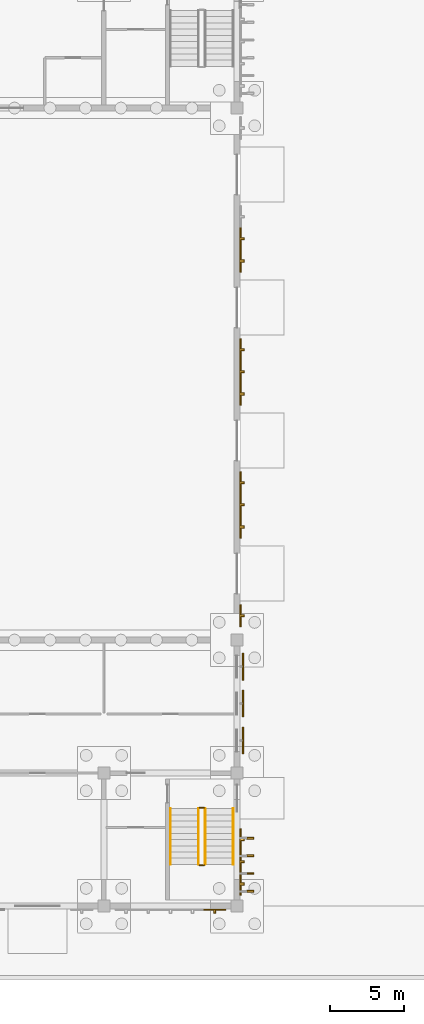
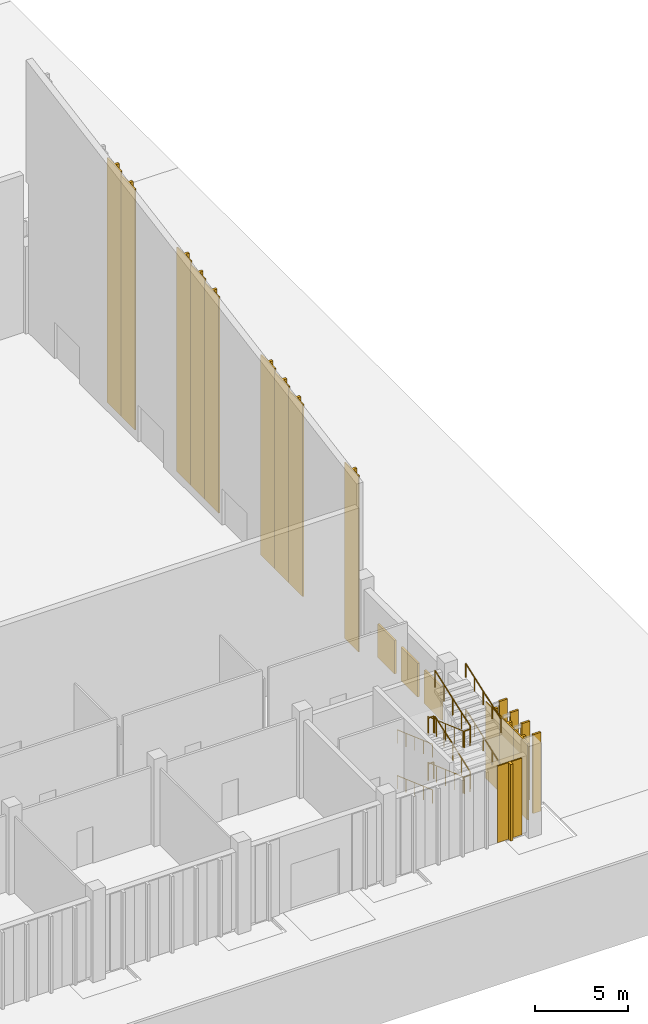
# One storey, part 180 of 198: 17 coverings, 12 railings, 3 shading devices.
"""IFC4 building model written with IfcOpenShell, lengths in metres."""

import ifcopenshell
import ifcopenshell.guid

model = None  # the IFC model being written
_history = None  # IfcOwnerHistory: only IFC2X3 demands one
_inside = {}  # id of a spatial element -> (the spatial element, [elements in it])
_under = {}  # id of a project, library or spatial element -> (it, [spatial elements below it])
_declared = {}  # id of a project -> (the project, [libraries it declares])
_typed = {}  # id of a type object -> (the type object, [elements of that type])
_made_of = {}  # id of a material, layer set ... -> (it, [elements and type objects made of it])


def new_model(schema):
    """Start an empty IFC model of exactly this schema.

    Asked for "IFC4X3", IfcOpenShell would pick the latest addendum, in which some entities
    have other attributes; the version numbers below select the first issue.
    IFC2X3 requires an IfcOwnerHistory on every rooted entity: one is made here for all.
    """
    global model, _history
    if schema == "IFC4X3":
        model = ifcopenshell.file(schema_version=(4, 3, 0, 0))
    else:
        model = ifcopenshell.file(schema=schema)
    _inside.clear()
    _under.clear()
    _declared.clear()
    _typed.clear()
    _made_of.clear()
    _history = None
    if model.schema == "IFC2X3":
        org = make("IfcOrganization", Name="unknown")
        user = make(
            "IfcPersonAndOrganization",
            ThePerson=make("IfcPerson", FamilyName="unknown"),
            TheOrganization=org,
        )
        app = make(
            "IfcApplication",
            ApplicationDeveloper=org,
            Version="unknown",
            ApplicationFullName="unknown",
            ApplicationIdentifier="unknown",
        )
        _history = make(
            "IfcOwnerHistory",
            OwningUser=user,
            OwningApplication=app,
            ChangeAction="ADDED",
            CreationDate=0,
        )
    return model


def make(cls, **values):
    """One entity of the class cls with the attributes given. An attribute that is None is left unset."""
    return model.create_entity(
        cls, **{name: value for name, value in values.items() if value is not None}
    )


def rooted(cls, **values):
    """An entity with a GlobalId (a new one), such as an element, a storey or a relation."""
    return make(cls, GlobalId=ifcopenshell.guid.new(), OwnerHistory=_history, **values)


def si_unit(unit_type, name, prefix=None):
    """IfcSIUnit, for example si_unit("LENGTHUNIT", "METRE", prefix="MILLI")."""
    return make("IfcSIUnit", UnitType=unit_type, Prefix=prefix, Name=name)


def assignment(units):
    """IfcUnitAssignment: the units of a project."""
    return None if units is None else make("IfcUnitAssignment", Units=units)


def point(xyz):
    """IfcCartesianPoint."""
    return None if xyz is None else make("IfcCartesianPoint", Coordinates=xyz)


def direction(xyz):
    """IfcDirection."""
    return None if xyz is None else make("IfcDirection", DirectionRatios=xyz)


def frame(location, z_axis=None, x_axis=None):
    """IfcAxis2Placement3D, a coordinate frame: its origin and axes. An axis left out is left unset."""
    return make(
        "IfcAxis2Placement3D",
        Location=point(location),
        Axis=direction(z_axis),
        RefDirection=direction(x_axis),
    )


def frame_2d(location, x_axis=None):
    """IfcAxis2Placement2D, a coordinate frame in the plane: its origin and x axis."""
    return make(
        "IfcAxis2Placement2D", Location=point(location), RefDirection=direction(x_axis)
    )


def origin():
    """The frame at (0, 0, 0) with its axes left unset."""
    return frame((0.0, 0.0, 0.0))


def origin_2d():
    """The frame at (0, 0) in the plane with its x axis left unset."""
    return frame_2d((0.0, 0.0))


def place(relative_to, where):
    """IfcLocalPlacement: puts the frame where relative to a parent placement (None: the world)."""
    return make(
        "IfcLocalPlacement", PlacementRelTo=relative_to, RelativePlacement=where
    )


def context(
    kind, dimensions, precision=None, world=None, true_north=None, identifier=None
):
    """IfcGeometricRepresentationContext, for example the 3D "Model" context."""
    return make(
        "IfcGeometricRepresentationContext",
        ContextIdentifier=identifier,
        ContextType=kind,
        CoordinateSpaceDimension=dimensions,
        Precision=precision,
        WorldCoordinateSystem=world,
        TrueNorth=true_north,
    )


def subcontext(parent, identifier, kind, view, scale=None):
    """IfcGeometricRepresentationSubContext, for example "Body" below "Model"."""
    return make(
        "IfcGeometricRepresentationSubContext",
        ContextIdentifier=identifier,
        ContextType=kind,
        ParentContext=parent,
        TargetScale=scale,
        TargetView=view,
    )


def project(units=None, contexts=None):
    """IfcProject with its units and contexts."""
    return rooted(
        "IfcProject",
        Name="project",
        RepresentationContexts=contexts,
        UnitsInContext=assignment(units),
    )


def spatial(cls, under=None, at=None, **own):
    """A site, building, storey or space (cls), placed at a placement, below another one or the project."""
    s = rooted(cls, ObjectPlacement=at, **own)
    if under is not None:
        _under.setdefault(under.id(), (under, []))[1].append(s)
    return s


def polyline(points):
    """IfcPolyline through the points."""
    return make("IfcPolyline", Points=[point(p) for p in points])


def profile(cls, at=None, kind="AREA", **sizes):
    """A parametric profile (cls). Its sizes go by their IFC names, for example OverallWidth=200.0."""
    return make(cls, ProfileType=kind, Position=at, **sizes)


def rectangle(**sizes):
    """IfcRectangleProfileDef."""
    return profile("IfcRectangleProfileDef", **sizes)


def circle(**sizes):
    """IfcCircleProfileDef."""
    return profile("IfcCircleProfileDef", **sizes)


def outline(outer, holes=None, kind="AREA"):
    """IfcArbitraryClosedProfileDef: a profile drawn as a closed curve; with holes, ...WithVoids."""
    if holes is None:
        return make("IfcArbitraryClosedProfileDef", ProfileType=kind, OuterCurve=outer)
    return make(
        "IfcArbitraryProfileDefWithVoids",
        ProfileType=kind,
        OuterCurve=outer,
        InnerCurves=holes,
    )


def extrude(swept, where, along, depth):
    """IfcExtrudedAreaSolid: the profile swept, set in the frame where, extruded along a direction by depth."""
    return make(
        "IfcExtrudedAreaSolid",
        SweptArea=swept,
        Position=where,
        ExtrudedDirection=direction(along),
        Depth=depth,
    )


def shape(context_of_items, identifier, shape_type, items):
    """IfcShapeRepresentation: the items that make up one representation, for example the "Body"."""
    return make(
        "IfcShapeRepresentation",
        ContextOfItems=context_of_items,
        RepresentationIdentifier=identifier,
        RepresentationType=shape_type,
        Items=items,
    )


def material(Name=None, Category=None):
    """IfcMaterial."""
    return make("IfcMaterial", Name=Name, Category=Category)


def layer(
    of_material, thickness, ventilated=None, Name=None, Category=None, Priority=None
):
    """IfcMaterialLayer: one layer of a wall or slab, of a material (None: an air gap)."""
    return make(
        "IfcMaterialLayer",
        Material=of_material,
        LayerThickness=thickness,
        IsVentilated=ventilated,
        Name=Name,
        Category=Category,
        Priority=Priority,
    )


def layer_set(layers, Name=None):
    """IfcMaterialLayerSet."""
    return make("IfcMaterialLayerSet", MaterialLayers=layers, LayerSetName=Name)


def constituent(of_material, Name=None, Category=None, fraction=None):
    """IfcMaterialConstituent: one of the materials an element consists of."""
    return make(
        "IfcMaterialConstituent",
        Name=Name,
        Material=of_material,
        Fraction=fraction,
        Category=Category,
    )


def constituent_set(constituents=None, Name=None):
    """IfcMaterialConstituentSet."""
    return make(
        "IfcMaterialConstituentSet", Name=Name, MaterialConstituents=constituents
    )


def made_of(thing, what):
    """Note that an element or type object is made of a material, layer set ...; save() writes the relation."""
    if what is not None:
        _made_of.setdefault(what.id(), (what, []))[1].append(thing)
    return thing


def type_object(cls, material=None, **own):
    """A type object (cls), such as IfcWallType, which elements share."""
    return made_of(rooted(cls, **own), material)


def element(
    cls,
    number,
    at=None,
    inside=None,
    cuts=None,
    type_object=None,
    material=None,
    context=None,
    identifier="Body",
    shape_type=None,
    held_by="IfcProductDefinitionShape",
    body=None,
    shapes=None,
    **own,
):
    """One element of the class cls, such as IfcWall. Its Tag is "e" and its number.

    at: its placement. inside: the storey or other place that contains it. cuts: it is an
    opening in that element (IfcRelVoidsElement). A single representation is given by context,
    identifier, shape_type and body (its items); several are given by shapes. held_by: the class
    of the entity that holds the representations. save() writes the other relations.
    """
    e = rooted(cls, Tag="e%d" % number, ObjectPlacement=at, **own)
    if body is not None:
        shapes = [shape(context, identifier, shape_type, body)]
    if shapes is not None:
        e.Representation = make(held_by, Representations=shapes)
    if inside is not None:
        _inside.setdefault(inside.id(), (inside, []))[1].append(e)
    if cuts is not None:
        rooted(
            "IfcRelVoidsElement", RelatingBuildingElement=cuts, RelatedOpeningElement=e
        )
    if type_object is not None:
        _typed.setdefault(type_object.id(), (type_object, []))[1].append(e)
    return made_of(e, material)


def aggregate(whole, parts):
    """IfcRelAggregates: a whole, such as a stair, and the parts it consists of."""
    return rooted("IfcRelAggregates", RelatingObject=whole, RelatedObjects=parts)


def save(model, path):
    """Write the relations noted so far, then the file.

    IfcRelAggregates (storeys below a building ...), IfcRelContainedInSpatialStructure (elements
    in a storey), IfcRelDefinesByType, IfcRelAssociatesMaterial and IfcRelDeclares: one each for
    every whole, place, type object, material and project.
    """
    for whole, parts in _under.values():
        aggregate(whole, parts)
    for where, things in _inside.values():
        rooted(
            "IfcRelContainedInSpatialStructure",
            RelatedElements=things,
            RelatingStructure=where,
        )
    for kind, things in _typed.values():
        rooted("IfcRelDefinesByType", RelatedObjects=things, RelatingType=kind)
    for what, things in _made_of.values():
        rooted("IfcRelAssociatesMaterial", RelatedObjects=things, RelatingMaterial=what)
    for by, libraries in _declared.values():
        rooted("IfcRelDeclares", RelatingContext=by, RelatedDefinitions=libraries)
    model.write(path)


model = new_model("IFC4")

# Units and contexts
model_context = context("Model", 3, precision=1e-05, world=origin(), true_north=direction((0.0, 1.0)))
body_context = subcontext(model_context, "Body", "Model", "MODEL_VIEW")
ifc_project = project(units=[si_unit("LENGTHUNIT", "METRE"), si_unit("AREAUNIT", "SQUARE_METRE"), si_unit("VOLUMEUNIT", "CUBIC_METRE"), si_unit("PLANEANGLEUNIT", "RADIAN"), si_unit("MASSUNIT", "GRAM", prefix="KILO")], contexts=[model_context])

# Site, building, storey
site_placement = place(None, origin())
site = spatial("IfcSite", under=ifc_project, at=site_placement, CompositionType="ELEMENT")
building_placement = place(site_placement, origin())
building = spatial("IfcBuilding", under=site, at=building_placement, Name="Opaline Strait Convention Centre", CompositionType="ELEMENT")
storey_placement = place(building_placement, origin())
storey = spatial("IfcBuildingStorey", under=building, at=storey_placement, Name="L00", CompositionType="ELEMENT", Elevation=0.0)

# Railings
ifc_material_1 = material(Name="Steel Q235B", Category="steel")
ifc_constituent_1 = constituent(ifc_material_1, Name="Frame")
ifc_material_2 = material(Name="Safety glass, bonded interlayer", Category="glass")
ifc_constituent_2 = constituent(ifc_material_2, Name="Infill")
ifc_constituent_set = constituent_set(constituents=[ifc_constituent_1, ifc_constituent_2], Name="Steel Q235B, Safety glass, bonded interlayer")
railing_type_1 = type_object("IfcRailingType", Name="Guard 1100 steel and glass", PredefinedType="GUARDRAIL", material=ifc_constituent_set)
railing_1_placement = place(storey_placement, frame((348.39990234375, 15.60009765625, 0.14990234375)))
element("IfcRailing", 1, at=railing_1_placement, inside=storey, type_object=railing_type_1, Name="L00 B-STSE stair guard 1", PredefinedType="GUARDRAIL", context=body_context, shape_type="SweptSolid", body=[
    extrude(circle(Radius=0.02392578125, at=origin_2d()), frame((0.0, 0.0, 1.076171875), z_axis=(0.0, -0.941735030876, 0.336355662388), x_axis=(1.0, 0.0, 0.0)), (0.0, 0.0, 1.0), 4.013916015625),
    extrude(circle(Radius=0.02099609375, at=origin_2d()), origin(), (0.0, 0.0, 1.0), 1.052001953125),
    extrude(circle(Radius=0.02099609375, at=origin_2d()), frame((0.0, -0.945068359375, 0.33740234375)), (0.0, 0.0, 1.0), 1.052001953125),
    extrude(circle(Radius=0.02099609375, at=origin_2d()), frame((0.0, -1.89013671875, 0.675048828125)), (0.0, 0.0, 1.0), 1.052001953125),
    extrude(circle(Radius=0.02099609375, at=origin_2d()), frame((0.0, -2.8349609375, 1.0126953125)), (0.0, 0.0, 1.0), 1.052001953125),
    extrude(circle(Radius=0.02099609375, at=origin_2d()), frame((0.0, -3.780029296875, 1.35009765625)), (0.0, 0.0, 1.0), 1.052001953125),
])
railing_2_placement = place(storey_placement, frame((348.449951171875, 11.77001953125, 1.5)))
element("IfcRailing", 2, at=railing_2_placement, inside=storey, type_object=railing_type_1, Name="L00 B-STSE stair guard 2", PredefinedType="GUARDRAIL", context=body_context, shape_type="SweptSolid", body=[
    extrude(circle(Radius=0.02392578125, at=origin_2d()), frame((0.0, 0.0, 1.076171875), z_axis=(1.0, 0.0, 0.0), x_axis=(0.0, 1.0, 0.0)), (0.0, 0.0, 1.0), 0.35009765625),
    extrude(circle(Radius=0.02099609375, at=origin_2d()), origin(), (0.0, 0.0, 1.0), 1.052001953125),
    extrude(circle(Radius=0.02099609375, at=origin_2d()), frame((0.35009765625, 0.0, 0.0)), (0.0, 0.0, 1.0), 1.052001953125),
])
railing_3_placement = place(storey_placement, frame((348.85009765625, 11.820068359375, 1.64990234375)))
element("IfcRailing", 3, at=railing_3_placement, inside=storey, type_object=railing_type_1, Name="L00 B-STSE stair guard 3", PredefinedType="GUARDRAIL", context=body_context, shape_type="SweptSolid", body=[
    extrude(circle(Radius=0.02392578125, at=origin_2d()), frame((0.0, 0.0, 1.076171875), z_axis=(0.0, 0.941735030876, 0.336355662388), x_axis=(-1.0, 0.0, 0.0)), (0.0, 0.0, 1.0), 4.013916015625),
    extrude(circle(Radius=0.02099609375, at=origin_2d()), origin(), (0.0, 0.0, 1.0), 1.052001953125),
    extrude(circle(Radius=0.02099609375, at=origin_2d()), frame((0.0, 0.945068359375, 0.33740234375)), (0.0, 0.0, 1.0), 1.052001953125),
    extrude(circle(Radius=0.02099609375, at=origin_2d()), frame((0.0, 1.89013671875, 0.675048828125)), (0.0, 0.0, 1.0), 1.052001953125),
    extrude(circle(Radius=0.02099609375, at=origin_2d()), frame((0.0, 2.8349609375, 1.0126953125)), (0.0, 0.0, 1.0), 1.052001953125),
    extrude(circle(Radius=0.02099609375, at=origin_2d()), frame((0.0, 3.780029296875, 1.35009765625)), (0.0, 0.0, 1.0), 1.052001953125),
])
railing_4_placement = place(storey_placement, frame((348.449951171875, 15.64990234375, 3.0)))
element("IfcRailing", 4, at=railing_4_placement, inside=storey, type_object=railing_type_1, Name="L00 B-STSE stair guard 4", PredefinedType="GUARDRAIL", context=body_context, shape_type="SweptSolid", body=[
    extrude(circle(Radius=0.02392578125, at=origin_2d()), frame((0.0, 0.0, 1.076171875), z_axis=(1.0, 0.0, 0.0), x_axis=(0.0, 1.0, 0.0)), (0.0, 0.0, 1.0), 0.35009765625),
    extrude(circle(Radius=0.02099609375, at=origin_2d()), origin(), (0.0, 0.0, 1.0), 1.052001953125),
    extrude(circle(Radius=0.02099609375, at=origin_2d()), frame((0.35009765625, 0.0, 0.0)), (0.0, 0.0, 1.0), 1.052001953125),
])
railing_5_placement = place(storey_placement, frame((348.39990234375, 15.60009765625, 3.14990234375)))
element("IfcRailing", 5, at=railing_5_placement, inside=storey, type_object=railing_type_1, Name="L00 B-STSE stair guard 5", PredefinedType="GUARDRAIL", context=body_context, shape_type="SweptSolid", body=[
    extrude(circle(Radius=0.02392578125, at=origin_2d()), frame((0.0, 0.0, 1.076171875), z_axis=(0.0, -0.941735030876, 0.336355662388), x_axis=(1.0, 0.0, 0.0)), (0.0, 0.0, 1.0), 4.013916015625),
    extrude(circle(Radius=0.02099609375, at=origin_2d()), origin(), (0.0, 0.0, 1.0), 1.052001953125),
    extrude(circle(Radius=0.02099609375, at=origin_2d()), frame((0.0, -0.945068359375, 0.33740234375)), (0.0, 0.0, 1.0), 1.052001953125),
    extrude(circle(Radius=0.02099609375, at=origin_2d()), frame((0.0, -1.89013671875, 0.675048828125)), (0.0, 0.0, 1.0), 1.052001953125),
    extrude(circle(Radius=0.02099609375, at=origin_2d()), frame((0.0, -2.8349609375, 1.0126953125)), (0.0, 0.0, 1.0), 1.052001953125),
    extrude(circle(Radius=0.02099609375, at=origin_2d()), frame((0.0, -3.780029296875, 1.35009765625)), (0.0, 0.0, 1.0), 1.052001953125),
])
railing_6_placement = place(storey_placement, frame((348.449951171875, 11.77001953125, 4.5)))
element("IfcRailing", 6, at=railing_6_placement, inside=storey, type_object=railing_type_1, Name="L00 B-STSE stair guard 6", PredefinedType="GUARDRAIL", context=body_context, shape_type="SweptSolid", body=[
    extrude(circle(Radius=0.02392578125, at=origin_2d()), frame((0.0, 0.0, 1.076171875), z_axis=(1.0, 0.0, 0.0), x_axis=(0.0, 1.0, 0.0)), (0.0, 0.0, 1.0), 0.35009765625),
    extrude(circle(Radius=0.02099609375, at=origin_2d()), origin(), (0.0, 0.0, 1.0), 1.052001953125),
    extrude(circle(Radius=0.02099609375, at=origin_2d()), frame((0.35009765625, 0.0, 0.0)), (0.0, 0.0, 1.0), 1.052001953125),
])
railing_7_placement = place(storey_placement, frame((348.85009765625, 11.820068359375, 4.64990234375)))
element("IfcRailing", 7, at=railing_7_placement, inside=storey, type_object=railing_type_1, Name="L00 B-STSE stair guard 7", PredefinedType="GUARDRAIL", context=body_context, shape_type="SweptSolid", body=[
    extrude(circle(Radius=0.02392578125, at=origin_2d()), frame((0.0, 0.0, 1.076171875), z_axis=(0.0, 0.941735030876, 0.336355662388), x_axis=(-1.0, 0.0, 0.0)), (0.0, 0.0, 1.0), 4.013916015625),
    extrude(circle(Radius=0.02099609375, at=origin_2d()), origin(), (0.0, 0.0, 1.0), 1.052001953125),
    extrude(circle(Radius=0.02099609375, at=origin_2d()), frame((0.0, 0.945068359375, 0.33740234375)), (0.0, 0.0, 1.0), 1.052001953125),
    extrude(circle(Radius=0.02099609375, at=origin_2d()), frame((0.0, 1.89013671875, 0.675048828125)), (0.0, 0.0, 1.0), 1.052001953125),
    extrude(circle(Radius=0.02099609375, at=origin_2d()), frame((0.0, 2.8349609375, 1.0126953125)), (0.0, 0.0, 1.0), 1.052001953125),
    extrude(circle(Radius=0.02099609375, at=origin_2d()), frame((0.0, 3.780029296875, 1.35009765625)), (0.0, 0.0, 1.0), 1.052001953125),
])
railing_8_placement = place(storey_placement, frame((348.449951171875, 15.64990234375, 0.0)))
element("IfcRailing", 8, at=railing_8_placement, inside=storey, type_object=railing_type_1, Name="L00 B-STSE stair guard 8", PredefinedType="GUARDRAIL", context=body_context, shape_type="SweptSolid", body=[
    extrude(circle(Radius=0.02392578125, at=origin_2d()), frame((0.0, 0.0, 1.076171875), z_axis=(1.0, 0.0, 0.0), x_axis=(0.0, 1.0, 0.0)), (0.0, 0.0, 1.0), 0.35009765625),
    extrude(circle(Radius=0.02099609375, at=origin_2d()), origin(), (0.0, 0.0, 1.0), 1.052001953125),
    extrude(circle(Radius=0.02099609375, at=origin_2d()), frame((0.35009765625, 0.0, 0.0)), (0.0, 0.0, 1.0), 1.052001953125),
])

# Coverings
ifc_material_3 = material(Name="Concrete C40 precast white", Category="concrete")
ifc_layer_1 = layer(ifc_material_3, 0.300048828125)
ifc_layer_set_1 = layer_set([ifc_layer_1], Name="Concrete C40 precast white")
covering_type_1 = type_object("IfcCoveringType", Name="Ribbed precast panel white 1500", PredefinedType="CLADDING", material=ifc_layer_set_1)
covering_1_placement = place(storey_placement, origin())
element("IfcCovering", 9, at=covering_1_placement, inside=storey, type_object=covering_type_1, Name="Ribbed panel L00-E27 1", PredefinedType="CLADDING", context=body_context, shape_type="SweptSolid", body=[
    extrude(outline(polyline([(351.199951171875, 27.89990234375), (351.199951171875, 29.39990234375), (351.280029296875, 29.39990234375), (351.280029296875, 28.72509765625), (351.5, 28.72509765625), (351.5, 28.574951171875), (351.280029296875, 28.574951171875), (351.280029296875, 27.89990234375), (351.199951171875, 27.89990234375)])), origin(), (0.0, 0.0, 1.0), 11.536376953125),
])
covering_2_placement = place(storey_placement, origin())
element("IfcCovering", 10, at=covering_2_placement, inside=storey, type_object=covering_type_1, Name="Ribbed panel L00-E27 5", PredefinedType="CLADDING", context=body_context, shape_type="SweptSolid", body=[
    extrude(outline(polyline([(351.199951171875, 33.89990234375), (351.199951171875, 35.39990234375), (351.280029296875, 35.39990234375), (351.280029296875, 34.72509765625), (351.5, 34.72509765625), (351.5, 34.574951171875), (351.280029296875, 34.574951171875), (351.280029296875, 33.89990234375), (351.199951171875, 33.89990234375)])), origin(), (0.0, 0.0, 1.0), 12.594482421875),
])
covering_3_placement = place(storey_placement, origin())
element("IfcCovering", 11, at=covering_3_placement, inside=storey, type_object=covering_type_1, Name="Ribbed panel L00-E27 6", PredefinedType="CLADDING", context=body_context, shape_type="SweptSolid", body=[
    extrude(outline(polyline([(351.199951171875, 35.39990234375), (351.199951171875, 36.89990234375), (351.280029296875, 36.89990234375), (351.280029296875, 36.22509765625), (351.5, 36.22509765625), (351.5, 36.074951171875), (351.280029296875, 36.074951171875), (351.280029296875, 35.39990234375), (351.199951171875, 35.39990234375)])), origin(), (0.0, 0.0, 1.0), 12.85888671875),
])
covering_4_placement = place(storey_placement, origin())
element("IfcCovering", 12, at=covering_4_placement, inside=storey, type_object=covering_type_1, Name="Ribbed panel L00-E27 7", PredefinedType="CLADDING", context=body_context, shape_type="SweptSolid", body=[
    extrude(outline(polyline([(351.199951171875, 36.89990234375), (351.199951171875, 38.39990234375), (351.280029296875, 38.39990234375), (351.280029296875, 37.72509765625), (351.5, 37.72509765625), (351.5, 37.574951171875), (351.280029296875, 37.574951171875), (351.280029296875, 36.89990234375), (351.199951171875, 36.89990234375)])), origin(), (0.0, 0.0, 1.0), 13.123291015625),
])
covering_5_placement = place(storey_placement, origin())
element("IfcCovering", 13, at=covering_5_placement, inside=storey, type_object=covering_type_1, Name="Ribbed panel L00-E27 11", PredefinedType="CLADDING", context=body_context, shape_type="SweptSolid", body=[
    extrude(outline(polyline([(351.199951171875, 42.89990234375), (351.199951171875, 44.39990234375), (351.280029296875, 44.39990234375), (351.280029296875, 43.72509765625), (351.5, 43.72509765625), (351.5, 43.574951171875), (351.280029296875, 43.574951171875), (351.280029296875, 42.89990234375), (351.199951171875, 42.89990234375)])), origin(), (0.0, 0.0, 1.0), 14.181396484375),
])
covering_6_placement = place(storey_placement, origin())
element("IfcCovering", 14, at=covering_6_placement, inside=storey, type_object=covering_type_1, Name="Ribbed panel L00-E27 12", PredefinedType="CLADDING", context=body_context, shape_type="SweptSolid", body=[
    extrude(outline(polyline([(351.199951171875, 44.39990234375), (351.199951171875, 45.89990234375), (351.280029296875, 45.89990234375), (351.280029296875, 45.22509765625), (351.5, 45.22509765625), (351.5, 45.074951171875), (351.280029296875, 45.074951171875), (351.280029296875, 44.39990234375), (351.199951171875, 44.39990234375)])), origin(), (0.0, 0.0, 1.0), 14.44580078125),
])
covering_7_placement = place(storey_placement, origin())
element("IfcCovering", 15, at=covering_7_placement, inside=storey, type_object=covering_type_1, Name="Ribbed panel L00-E27 13", PredefinedType="CLADDING", context=body_context, shape_type="SweptSolid", body=[
    extrude(outline(polyline([(351.199951171875, 45.89990234375), (351.199951171875, 47.39990234375), (351.280029296875, 47.39990234375), (351.280029296875, 46.72509765625), (351.5, 46.72509765625), (351.5, 46.574951171875), (351.280029296875, 46.574951171875), (351.280029296875, 45.89990234375), (351.199951171875, 45.89990234375)])), origin(), (0.0, 0.0, 1.0), 14.710205078125),
])
covering_8_placement = place(storey_placement, origin())
element("IfcCovering", 16, at=covering_8_placement, inside=storey, type_object=covering_type_1, Name="Ribbed panel L00-E27 17", PredefinedType="CLADDING", context=body_context, shape_type="SweptSolid", body=[
    extrude(outline(polyline([(351.199951171875, 51.89990234375), (351.199951171875, 53.39990234375), (351.280029296875, 53.39990234375), (351.280029296875, 52.72509765625), (351.5, 52.72509765625), (351.5, 52.574951171875), (351.280029296875, 52.574951171875), (351.280029296875, 51.89990234375), (351.199951171875, 51.89990234375)])), origin(), (0.0, 0.0, 1.0), 15.768310546875),
])
covering_9_placement = place(storey_placement, origin())
element("IfcCovering", 17, at=covering_9_placement, inside=storey, type_object=covering_type_1, Name="Ribbed panel L00-E27 18", PredefinedType="CLADDING", context=body_context, shape_type="SweptSolid", body=[
    extrude(outline(polyline([(351.199951171875, 53.39990234375), (351.199951171875, 54.89990234375), (351.280029296875, 54.89990234375), (351.280029296875, 54.22509765625), (351.5, 54.22509765625), (351.5, 54.074951171875), (351.280029296875, 54.074951171875), (351.280029296875, 53.39990234375), (351.199951171875, 53.39990234375)])), origin(), (0.0, 0.0, 1.0), 16.03271484375),
])
covering_10_placement = place(storey_placement, origin())
element("IfcCovering", 18, at=covering_10_placement, inside=storey, type_object=covering_type_1, Name="Ribbed panel L00-E9 1", PredefinedType="CLADDING", context=body_context, shape_type="SweptSolid", body=[
    extrude(outline(polyline([(351.199951171875, 9.75), (351.199951171875, 11.25), (351.280029296875, 11.25), (351.280029296875, 10.574951171875), (351.5, 10.574951171875), (351.5, 10.425048828125), (351.280029296875, 10.425048828125), (351.280029296875, 9.75), (351.199951171875, 9.75)])), origin(), (0.0, 0.0, 1.0), 5.02001953125),
])
covering_11_placement = place(storey_placement, origin())
element("IfcCovering", 19, at=covering_11_placement, inside=storey, type_object=covering_type_1, Name="Ribbed panel L00-E9 2", PredefinedType="CLADDING", context=body_context, shape_type="SweptSolid", body=[
    extrude(outline(polyline([(351.199951171875, 11.25), (351.199951171875, 12.75), (351.280029296875, 12.75), (351.280029296875, 12.074951171875), (351.5, 12.074951171875), (351.5, 11.925048828125), (351.280029296875, 11.925048828125), (351.280029296875, 11.25), (351.199951171875, 11.25)])), origin(), (0.0, 0.0, 1.0), 5.02001953125),
])
covering_12_placement = place(storey_placement, origin())
element("IfcCovering", 20, at=covering_12_placement, inside=storey, type_object=covering_type_1, Name="Ribbed panel L00-E9 3", PredefinedType="CLADDING", context=body_context, shape_type="SweptSolid", body=[
    extrude(outline(polyline([(351.199951171875, 12.75), (351.199951171875, 14.25), (351.280029296875, 14.25), (351.280029296875, 13.574951171875), (351.5, 13.574951171875), (351.5, 13.425048828125), (351.280029296875, 13.425048828125), (351.280029296875, 12.75), (351.199951171875, 12.75)])), origin(), (0.0, 0.0, 1.0), 5.02001953125),
])
covering_13_placement = place(storey_placement, origin())
element("IfcCovering", 21, at=covering_13_placement, inside=storey, type_object=covering_type_1, Name="Ribbed panel L00-S6 5", PredefinedType="CLADDING", context=body_context, shape_type="SweptSolid", body=[
    extrude(outline(polyline([(348.75, 8.800048828125), (350.25, 8.800048828125), (350.25, 8.719970703125), (349.574951171875, 8.719970703125), (349.574951171875, 8.5), (349.425048828125, 8.5), (349.425048828125, 8.719970703125), (348.75, 8.719970703125), (348.75, 8.800048828125)])), origin(), (0.0, 0.0, 1.0), 5.02001953125),
])

# Railings
ifc_material_4 = material(Name="Stainless steel 304", Category="steel")
railing_type_2 = type_object("IfcRailingType", Name="Stair handrail 900", PredefinedType="HANDRAIL", material=ifc_material_4)
railing_9_placement = place(storey_placement, frame((346.5, 15.60009765625, 0.14990234375)))
element("IfcRailing", 22, at=railing_9_placement, inside=storey, type_object=railing_type_2, Name="L00 B-STSE stair handrail 1", PredefinedType="HANDRAIL", context=body_context, shape_type="SweptSolid", body=[
    extrude(circle(Radius=0.02392578125, at=origin_2d()), frame((0.0, 0.0, 0.8759765625), z_axis=(0.0, -0.941735030876, 0.336355662388), x_axis=(1.0, 0.0, 0.0)), (0.0, 0.0, 1.0), 4.013916015625),
    extrude(circle(Radius=0.02099609375, at=origin_2d()), origin(), (0.0, 0.0, 1.0), 0.851806640625),
    extrude(circle(Radius=0.02099609375, at=origin_2d()), frame((0.0, -0.945068359375, 0.33740234375)), (0.0, 0.0, 1.0), 0.851806640625),
    extrude(circle(Radius=0.02099609375, at=origin_2d()), frame((0.0, -1.89013671875, 0.675048828125)), (0.0, 0.0, 1.0), 0.851806640625),
    extrude(circle(Radius=0.02099609375, at=origin_2d()), frame((0.0, -2.8349609375, 1.0126953125)), (0.0, 0.0, 1.0), 0.851806640625),
    extrude(circle(Radius=0.02099609375, at=origin_2d()), frame((0.0, -3.780029296875, 1.35009765625)), (0.0, 0.0, 1.0), 0.851806640625),
])
railing_10_placement = place(storey_placement, frame((350.75, 11.820068359375, 1.64990234375)))
element("IfcRailing", 23, at=railing_10_placement, inside=storey, type_object=railing_type_2, Name="L00 B-STSE stair handrail 2", PredefinedType="HANDRAIL", context=body_context, shape_type="SweptSolid", body=[
    extrude(circle(Radius=0.02392578125, at=origin_2d()), frame((0.0, 0.0, 0.8759765625), z_axis=(0.0, 0.941735030876, 0.336355662388), x_axis=(-1.0, 0.0, 0.0)), (0.0, 0.0, 1.0), 4.013916015625),
    extrude(circle(Radius=0.02099609375, at=origin_2d()), origin(), (0.0, 0.0, 1.0), 0.851806640625),
    extrude(circle(Radius=0.02099609375, at=origin_2d()), frame((0.0, 0.945068359375, 0.33740234375)), (0.0, 0.0, 1.0), 0.851806640625),
    extrude(circle(Radius=0.02099609375, at=origin_2d()), frame((0.0, 1.89013671875, 0.675048828125)), (0.0, 0.0, 1.0), 0.851806640625),
    extrude(circle(Radius=0.02099609375, at=origin_2d()), frame((0.0, 2.8349609375, 1.0126953125)), (0.0, 0.0, 1.0), 0.851806640625),
    extrude(circle(Radius=0.02099609375, at=origin_2d()), frame((0.0, 3.780029296875, 1.35009765625)), (0.0, 0.0, 1.0), 0.851806640625),
])
railing_11_placement = place(storey_placement, frame((346.5, 15.60009765625, 3.14990234375)))
element("IfcRailing", 24, at=railing_11_placement, inside=storey, type_object=railing_type_2, Name="L00 B-STSE stair handrail 3", PredefinedType="HANDRAIL", context=body_context, shape_type="SweptSolid", body=[
    extrude(circle(Radius=0.02392578125, at=origin_2d()), frame((0.0, 0.0, 0.8759765625), z_axis=(0.0, -0.941735030876, 0.336355662388), x_axis=(1.0, 0.0, 0.0)), (0.0, 0.0, 1.0), 4.013916015625),
    extrude(circle(Radius=0.02099609375, at=origin_2d()), origin(), (0.0, 0.0, 1.0), 0.851806640625),
    extrude(circle(Radius=0.02099609375, at=origin_2d()), frame((0.0, -0.945068359375, 0.33740234375)), (0.0, 0.0, 1.0), 0.851806640625),
    extrude(circle(Radius=0.02099609375, at=origin_2d()), frame((0.0, -1.89013671875, 0.675048828125)), (0.0, 0.0, 1.0), 0.851806640625),
    extrude(circle(Radius=0.02099609375, at=origin_2d()), frame((0.0, -2.8349609375, 1.0126953125)), (0.0, 0.0, 1.0), 0.851806640625),
    extrude(circle(Radius=0.02099609375, at=origin_2d()), frame((0.0, -3.780029296875, 1.35009765625)), (0.0, 0.0, 1.0), 0.851806640625),
])
railing_12_placement = place(storey_placement, frame((350.75, 11.820068359375, 4.64990234375)))
element("IfcRailing", 25, at=railing_12_placement, inside=storey, type_object=railing_type_2, Name="L00 B-STSE stair handrail 4", PredefinedType="HANDRAIL", context=body_context, shape_type="SweptSolid", body=[
    extrude(circle(Radius=0.02392578125, at=origin_2d()), frame((0.0, 0.0, 0.8759765625), z_axis=(0.0, 0.941735030876, 0.336355662388), x_axis=(-1.0, 0.0, 0.0)), (0.0, 0.0, 1.0), 4.013916015625),
    extrude(circle(Radius=0.02099609375, at=origin_2d()), origin(), (0.0, 0.0, 1.0), 0.851806640625),
    extrude(circle(Radius=0.02099609375, at=origin_2d()), frame((0.0, 0.945068359375, 0.33740234375)), (0.0, 0.0, 1.0), 0.851806640625),
    extrude(circle(Radius=0.02099609375, at=origin_2d()), frame((0.0, 1.89013671875, 0.675048828125)), (0.0, 0.0, 1.0), 0.851806640625),
    extrude(circle(Radius=0.02099609375, at=origin_2d()), frame((0.0, 2.8349609375, 1.0126953125)), (0.0, 0.0, 1.0), 0.851806640625),
    extrude(circle(Radius=0.02099609375, at=origin_2d()), frame((0.0, 3.780029296875, 1.35009765625)), (0.0, 0.0, 1.0), 0.851806640625),
])

# Shading devices
ifc_material_5 = material(Name="Aluminium louvre blades", Category="aluminium")
ifc_layer_2 = layer(ifc_material_5, 0.1201171875)
ifc_layer_set_2 = layer_set([ifc_layer_2], Name="Aluminium louvre blades")
shading_device_type = type_object("IfcShadingDeviceType", Name="Storm louvre 1800 x 2200", PredefinedType="JALOUSIE", material=ifc_layer_set_2)
for number, where, z_axis, x_axis, name in (
    (26, (351.409912109375, 20.199951171875, 0.7001953125), (0.0, 0.0, 1.0), (1.0, 0.0, 0.0), "Storm louvre L00 1"),
    (27, (351.409912109375, 22.699951171875, 0.7001953125), (0.0, 0.0, 1.0), (1.0, 0.0, 0.0), "Storm louvre L00 2"),
    (28, (351.409912109375, 25.199951171875, 0.7001953125), (0.0, 0.0, 1.0), (1.0, 0.0, 0.0), "Storm louvre L00 3"),
):
    element("IfcShadingDevice", number, at=place(storey_placement, frame(where, z_axis=z_axis, x_axis=x_axis)), inside=storey, type_object=shading_device_type, Name=name, PredefinedType="JALOUSIE", context=body_context, shape_type="SweptSolid", body=[
        extrude(rectangle(XDim=0.1201171875, YDim=1.800048828125, at=origin_2d()), origin(), (0.0, 0.0, 1.0), 2.199951171875),
    ])

# Coverings
ifc_material_6 = material(Name="Powder-coated aluminium white", Category="aluminium")
ifc_layer_3 = layer(ifc_material_6, 0.1201171875)
ifc_layer_set_3 = layer_set([ifc_layer_3], Name="Powder-coated aluminium white")
covering_type_2 = type_object("IfcCoveringType", Name="Storm louvre fin 120 x 500", PredefinedType="CLADDING", material=ifc_layer_set_3)
for number, where, z_axis, x_axis, name in (
    (29, (351.89990234375, 10.0, 0.150146484375), (0.0, 0.0, 1.0), (1.0, 0.0, 0.0), "BX2 storm louvre fin east 71"),
    (30, (351.89990234375, 11.199951171875, 0.150146484375), (0.0, 0.0, 1.0), (1.0, 0.0, 0.0), "BX2 storm louvre fin east 72"),
    (31, (351.89990234375, 12.39990234375, 0.150146484375), (0.0, 0.0, 1.0), (1.0, 0.0, 0.0), "BX2 storm louvre fin east 73"),
    (32, (351.89990234375, 13.60009765625, 0.150146484375), (0.0, 0.0, 1.0), (1.0, 0.0, 0.0), "BX2 storm louvre fin east 74"),
):
    element("IfcCovering", number, at=place(storey_placement, frame(where, z_axis=z_axis, x_axis=x_axis)), inside=storey, type_object=covering_type_2, Name=name, PredefinedType="CLADDING", context=body_context, shape_type="SweptSolid", body=[
        extrude(rectangle(XDim=0.5, YDim=0.1201171875, at=origin_2d()), origin(), (0.0, 0.0, 1.0), 5.169921875),
    ])

save(model, "model.ifc")
